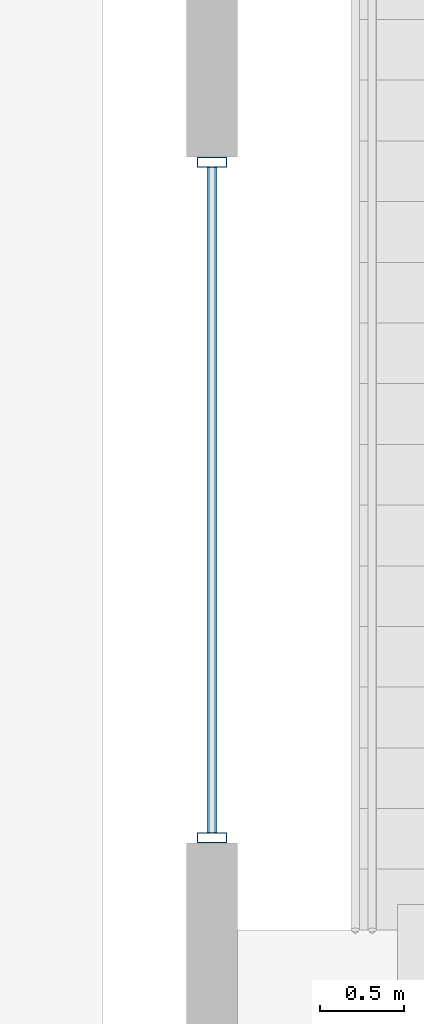
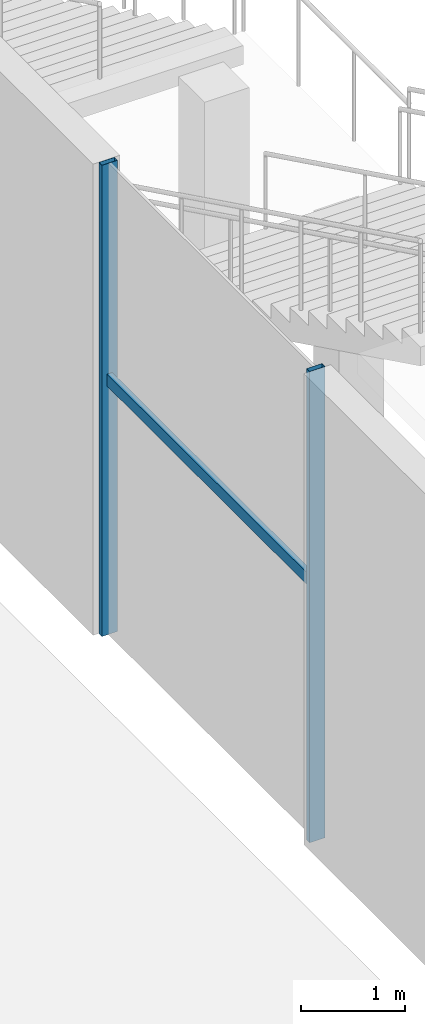
# One storey, part 18 of 68: 3 members, 1 element without a shape of its own.
"""IFC4 building model written with IfcOpenShell, lengths in metres."""

from ifc_helpers import new_model, si_unit, direction, frame, origin, origin_2d, place, context, subcontext, project, spatial, hollow_rectangle, extrude, material, material_profile, profile_set, type_object, element, aggregate, save


model = new_model("IFC4")

# Units and contexts
model_context = context("Model", 3, precision=1e-05, world=origin(), true_north=direction((0.0, 1.0)))
body_context = subcontext(model_context, "Body", "Model", "MODEL_VIEW")
ifc_project = project(units=[si_unit("LENGTHUNIT", "METRE"), si_unit("AREAUNIT", "SQUARE_METRE"), si_unit("VOLUMEUNIT", "CUBIC_METRE"), si_unit("PLANEANGLEUNIT", "RADIAN"), si_unit("MASSUNIT", "GRAM", prefix="KILO")], contexts=[model_context])

# Site, building, storey
site_placement = place(None, origin())
site = spatial("IfcSite", under=ifc_project, at=site_placement, CompositionType="ELEMENT")
building_placement = place(site_placement, origin())
building = spatial("IfcBuilding", under=site, at=building_placement, Name="Altepetl Exchange Towers", CompositionType="ELEMENT")
storey_placement = place(building_placement, origin())
storey = spatial("IfcBuildingStorey", under=building, at=storey_placement, Name="L00 Ground concourse", CompositionType="ELEMENT", Elevation=0.0)

# Curtain wall, members
ifc_material_1 = material(Name="Aluminium 6063-T6 glazing", Category="aluminium")
curtain_wall_type = type_object("IfcCurtainWallType", Name="Podium storefront system", PredefinedType="NOTDEFINED", material=ifc_material_1)
curtain_wall_placement = place(storey_placement, origin())
curtain_wall = element("IfcCurtainWall", 1, at=curtain_wall_placement, inside=storey, type_object=curtain_wall_type, Name="CW5 run", PredefinedType="NOTDEFINED")
ifc_material_2 = material(Name="Aluminium 6063-T6", Category="aluminium")
ifc_material_profile_1 = material_profile(ifc_material_2, hollow_rectangle(XDim=0.06005859375, YDim=0.175048828125, WallThickness=0.0029296875, at=origin_2d()), Name="Mullion 60x175 aluminium")
ifc_profile_set_1 = profile_set([ifc_material_profile_1], Name="Aluminium 6063-T6")
member_type_1 = type_object("IfcMemberType", Name="Mullion 60x175 aluminium", PredefinedType="MULLION", material=ifc_profile_set_1)
member_1_placement = place(storey_placement, frame((152.85009765625, 81.24658203125, 0.0), z_axis=(0.0, 0.0, 1.0), x_axis=(0.0, 1.0, 0.0)))
member_1 = element("IfcMember", 2, at=member_1_placement, type_object=member_type_1, Name="MU4 mullion", PredefinedType="MULLION", context=body_context, shape_type="SweptSolid", body=[
    extrude(hollow_rectangle(XDim=0.06005859375, YDim=0.175048828125, WallThickness=0.0029296875, at=origin_2d()), origin(), (0.0, 0.0, 1.0), 5.550048828125),
])
member_2_placement = place(storey_placement, frame((152.85009765625, 85.25341796875, 0.0), z_axis=(0.0, 0.0, 1.0), x_axis=(0.0, 1.0, 0.0)))
member_2 = element("IfcMember", 3, at=member_2_placement, type_object=member_type_1, Name="MU4 mullion", PredefinedType="MULLION", context=body_context, shape_type="SweptSolid", body=[
    extrude(hollow_rectangle(XDim=0.06005859375, YDim=0.175048828125, WallThickness=0.0029296875, at=origin_2d()), origin(), (0.0, 0.0, 1.0), 5.550048828125),
])
ifc_material_profile_2 = material_profile(ifc_material_2, hollow_rectangle(XDim=0.06005859375, YDim=0.139892578125, WallThickness=0.0029296875, at=origin_2d()), Name="Transom 60x140 aluminium")
ifc_profile_set_2 = profile_set([ifc_material_profile_2], Name="Aluminium 6063-T6")
member_type_2 = type_object("IfcMemberType", Name="Transom 60x140 aluminium", PredefinedType="USERDEFINED", material=ifc_profile_set_2)
member_3_placement = place(storey_placement, frame((152.85009765625, 81.276611328125, 3.0), z_axis=(0.0, 1.0, 0.0), x_axis=(-1.0, 0.0, 0.0)))
member_3 = element("IfcMember", 4, at=member_3_placement, type_object=member_type_2, Name="TR3 transom", ObjectType="TRANSOM", PredefinedType="USERDEFINED", context=body_context, shape_type="SweptSolid", body=[
    extrude(hollow_rectangle(XDim=0.06005859375, YDim=0.139892578125, WallThickness=0.0029296875, at=origin_2d()), origin(), (0.0, 0.0, 1.0), 3.94677734375),
])
aggregate(curtain_wall, [member_1, member_2, member_3])

save(model, "model.ifc")
